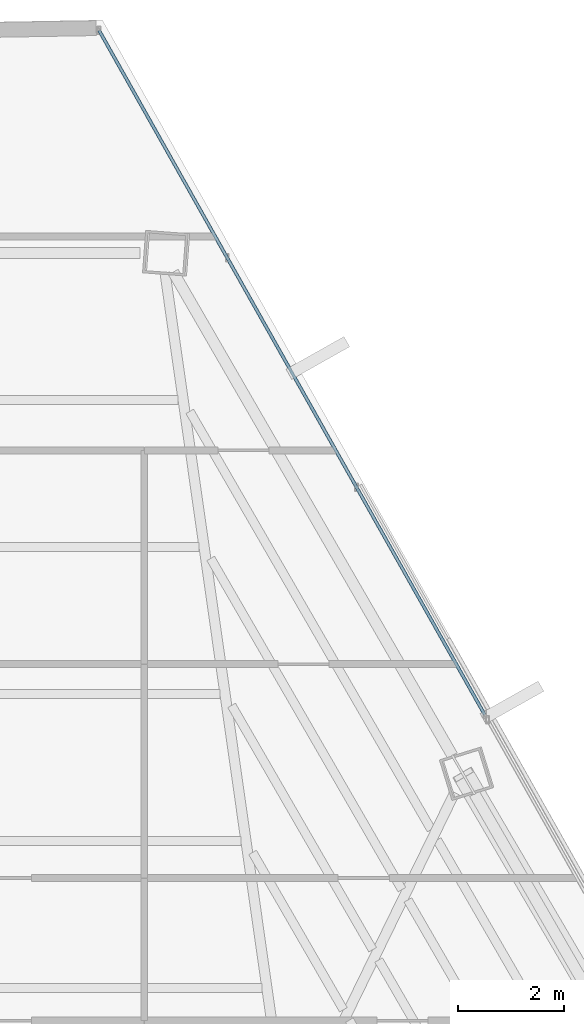
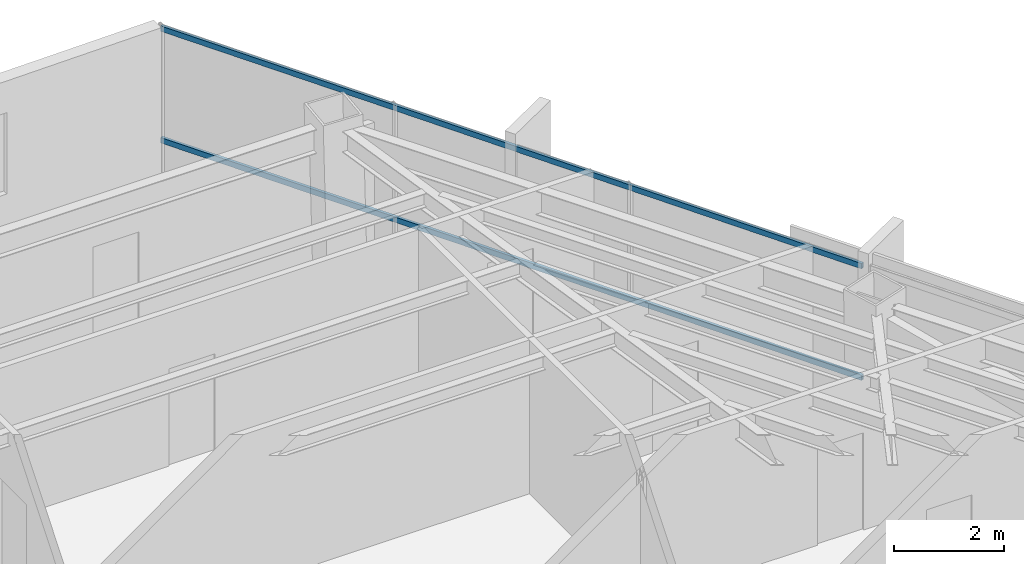
# One storey, part 32 of 44: 2 members, 1 element without a shape of its own.
"""IFC4 building model written with IfcOpenShell, lengths in metres."""

from ifc_helpers import new_model, si_unit, direction, frame, origin, origin_2d, place, context, subcontext, project, spatial, hollow_rectangle, extrude, source, transform, mapped, material, material_profile, profile_set, type_object, type_shapes, element, aggregate, save


model = new_model("IFC4")

# Units and contexts
model_context = context("Model", 3, precision=1e-05, world=origin(), true_north=direction((0.0, 1.0)))
body_context = subcontext(model_context, "Body", "Model", "MODEL_VIEW")
ifc_project = project(units=[si_unit("LENGTHUNIT", "METRE"), si_unit("AREAUNIT", "SQUARE_METRE"), si_unit("VOLUMEUNIT", "CUBIC_METRE"), si_unit("PLANEANGLEUNIT", "RADIAN"), si_unit("MASSUNIT", "GRAM", prefix="KILO")], contexts=[model_context])

# Site, building, storey
site_placement = place(None, origin())
site = spatial("IfcSite", under=ifc_project, at=site_placement, CompositionType="ELEMENT")
building_placement = place(site_placement, origin())
building = spatial("IfcBuilding", under=site, at=building_placement, Name="Caelisora Broadcast Tower", CompositionType="ELEMENT")
storey_placement = place(building_placement, frame((0.0, 0.0, 198.64990234375)))
storey = spatial("IfcBuildingStorey", under=building, at=storey_placement, Name="L52", CompositionType="ELEMENT", Elevation=198.64990234375)

# Curtain wall, members
ifc_material_1 = material(Name="Unitised Aluminium and Low-E Glass Curtain Wall", Category="glass")
curtain_wall_type = type_object("IfcCurtainWallType", Name="CW-Z4", PredefinedType="NOTDEFINED", material=ifc_material_1)
curtain_wall_placement = place(storey_placement, origin())
curtain_wall = element("IfcCurtainWall", 1, at=curtain_wall_placement, inside=storey, type_object=curtain_wall_type, Name="L52 curtain wall CW-Z4", PredefinedType="NOTDEFINED")
ifc_material_2 = material(Name="Aluminium 6063-T6 Anodised Terracotta Bronze", Category="aluminium")
ifc_material_profile = material_profile(ifc_material_2, hollow_rectangle(XDim=0.06005859375, YDim=0.1201171875, WallThickness=0.0029296875, at=origin_2d()), Name="Aluminium 6063-T6 Anodised Terracotta Bronze")
ifc_profile_set = profile_set([ifc_material_profile], Name="Aluminium 6063-T6 Anodised Terracotta Bronze")
member_type = type_object("IfcMemberType", Name="CWT-03", PredefinedType="USERDEFINED", material=ifc_profile_set)
shared_shape = source(origin(), body_context, "Body", "SweptSolid", [
    extrude(hollow_rectangle(XDim=0.06005859375, YDim=0.1201171875, WallThickness=0.0029296875, at=origin_2d()), origin(), (0.0, 0.0, 1.0), 14.760498046875),
])
type_shapes(member_type, [shared_shape])
member_1_placement = place(storey_placement, frame((41.951416015625, 50.762451171875, 0.85009765625), z_axis=(0.490978829041, -0.87117150403, 0.0), x_axis=(0.87117150403, 0.490978829041, 0.0)))
member_1 = element("IfcMember", 2, at=member_1_placement, type_object=member_type, Name="L52-CW-B01 transom #1", ObjectType="TRANSOM", PredefinedType="USERDEFINED", context=body_context, shape_type="MappedRepresentation", body=[
    mapped(shared_shape, transform((0.0, 0.0, 0.0), scale=1.0)),
])
member_2_placement = place(storey_placement, frame((41.951416015625, 50.762451171875, 3.320068359375), z_axis=(0.490978829041, -0.87117150403, 0.0), x_axis=(0.87117150403, 0.490978829041, 0.0)))
member_2 = element("IfcMember", 3, at=member_2_placement, type_object=member_type, Name="L52-CW-B01 transom #2", ObjectType="TRANSOM", PredefinedType="USERDEFINED", context=body_context, shape_type="MappedRepresentation", body=[
    mapped(shared_shape, transform((0.0, 0.0, 0.0), scale=1.0)),
])
aggregate(curtain_wall, [member_1, member_2])

save(model, "model.ifc")
